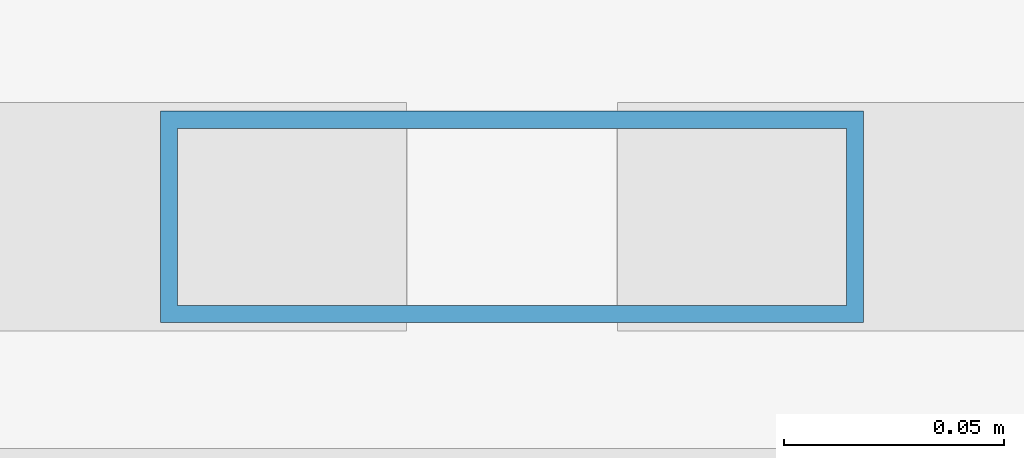
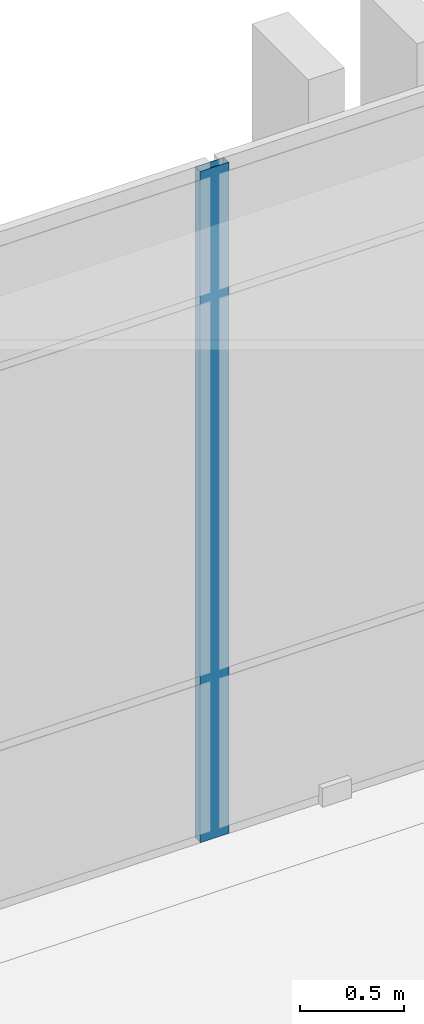
# One storey, part 106 of 165: 1 member, 1 element without a shape of its own.
"""IFC4 building model written with IfcOpenShell, lengths in metres."""

import ifcopenshell
import ifcopenshell.guid

model = None  # the IFC model being written
_history = None  # IfcOwnerHistory: only IFC2X3 demands one
_inside = {}  # id of a spatial element -> (the spatial element, [elements in it])
_under = {}  # id of a project, library or spatial element -> (it, [spatial elements below it])
_declared = {}  # id of a project -> (the project, [libraries it declares])
_typed = {}  # id of a type object -> (the type object, [elements of that type])
_made_of = {}  # id of a material, layer set ... -> (it, [elements and type objects made of it])


def new_model(schema):
    """Start an empty IFC model of exactly this schema.

    Asked for "IFC4X3", IfcOpenShell would pick the latest addendum, in which some entities
    have other attributes; the version numbers below select the first issue.
    IFC2X3 requires an IfcOwnerHistory on every rooted entity: one is made here for all.
    """
    global model, _history
    if schema == "IFC4X3":
        model = ifcopenshell.file(schema_version=(4, 3, 0, 0))
    else:
        model = ifcopenshell.file(schema=schema)
    _inside.clear()
    _under.clear()
    _declared.clear()
    _typed.clear()
    _made_of.clear()
    _history = None
    if model.schema == "IFC2X3":
        org = make("IfcOrganization", Name="unknown")
        user = make(
            "IfcPersonAndOrganization",
            ThePerson=make("IfcPerson", FamilyName="unknown"),
            TheOrganization=org,
        )
        app = make(
            "IfcApplication",
            ApplicationDeveloper=org,
            Version="unknown",
            ApplicationFullName="unknown",
            ApplicationIdentifier="unknown",
        )
        _history = make(
            "IfcOwnerHistory",
            OwningUser=user,
            OwningApplication=app,
            ChangeAction="ADDED",
            CreationDate=0,
        )
    return model


def make(cls, **values):
    """One entity of the class cls with the attributes given. An attribute that is None is left unset."""
    return model.create_entity(
        cls, **{name: value for name, value in values.items() if value is not None}
    )


def rooted(cls, **values):
    """An entity with a GlobalId (a new one), such as an element, a storey or a relation."""
    return make(cls, GlobalId=ifcopenshell.guid.new(), OwnerHistory=_history, **values)


def si_unit(unit_type, name, prefix=None):
    """IfcSIUnit, for example si_unit("LENGTHUNIT", "METRE", prefix="MILLI")."""
    return make("IfcSIUnit", UnitType=unit_type, Prefix=prefix, Name=name)


def assignment(units):
    """IfcUnitAssignment: the units of a project."""
    return None if units is None else make("IfcUnitAssignment", Units=units)


def point(xyz):
    """IfcCartesianPoint."""
    return None if xyz is None else make("IfcCartesianPoint", Coordinates=xyz)


def direction(xyz):
    """IfcDirection."""
    return None if xyz is None else make("IfcDirection", DirectionRatios=xyz)


def frame(location, z_axis=None, x_axis=None):
    """IfcAxis2Placement3D, a coordinate frame: its origin and axes. An axis left out is left unset."""
    return make(
        "IfcAxis2Placement3D",
        Location=point(location),
        Axis=direction(z_axis),
        RefDirection=direction(x_axis),
    )


def frame_2d(location, x_axis=None):
    """IfcAxis2Placement2D, a coordinate frame in the plane: its origin and x axis."""
    return make(
        "IfcAxis2Placement2D", Location=point(location), RefDirection=direction(x_axis)
    )


def origin():
    """The frame at (0, 0, 0) with its axes left unset."""
    return frame((0.0, 0.0, 0.0))


def origin_2d():
    """The frame at (0, 0) in the plane with its x axis left unset."""
    return frame_2d((0.0, 0.0))


def place(relative_to, where):
    """IfcLocalPlacement: puts the frame where relative to a parent placement (None: the world)."""
    return make(
        "IfcLocalPlacement", PlacementRelTo=relative_to, RelativePlacement=where
    )


def context(
    kind, dimensions, precision=None, world=None, true_north=None, identifier=None
):
    """IfcGeometricRepresentationContext, for example the 3D "Model" context."""
    return make(
        "IfcGeometricRepresentationContext",
        ContextIdentifier=identifier,
        ContextType=kind,
        CoordinateSpaceDimension=dimensions,
        Precision=precision,
        WorldCoordinateSystem=world,
        TrueNorth=true_north,
    )


def subcontext(parent, identifier, kind, view, scale=None):
    """IfcGeometricRepresentationSubContext, for example "Body" below "Model"."""
    return make(
        "IfcGeometricRepresentationSubContext",
        ContextIdentifier=identifier,
        ContextType=kind,
        ParentContext=parent,
        TargetScale=scale,
        TargetView=view,
    )


def project(units=None, contexts=None):
    """IfcProject with its units and contexts."""
    return rooted(
        "IfcProject",
        Name="project",
        RepresentationContexts=contexts,
        UnitsInContext=assignment(units),
    )


def spatial(cls, under=None, at=None, **own):
    """A site, building, storey or space (cls), placed at a placement, below another one or the project."""
    s = rooted(cls, ObjectPlacement=at, **own)
    if under is not None:
        _under.setdefault(under.id(), (under, []))[1].append(s)
    return s


def profile(cls, at=None, kind="AREA", **sizes):
    """A parametric profile (cls). Its sizes go by their IFC names, for example OverallWidth=200.0."""
    return make(cls, ProfileType=kind, Position=at, **sizes)


def hollow_rectangle(**sizes):
    """IfcRectangleHollowProfileDef."""
    return profile("IfcRectangleHollowProfileDef", **sizes)


def extrude(swept, where, along, depth):
    """IfcExtrudedAreaSolid: the profile swept, set in the frame where, extruded along a direction by depth."""
    return make(
        "IfcExtrudedAreaSolid",
        SweptArea=swept,
        Position=where,
        ExtrudedDirection=direction(along),
        Depth=depth,
    )


def shape(context_of_items, identifier, shape_type, items):
    """IfcShapeRepresentation: the items that make up one representation, for example the "Body"."""
    return make(
        "IfcShapeRepresentation",
        ContextOfItems=context_of_items,
        RepresentationIdentifier=identifier,
        RepresentationType=shape_type,
        Items=items,
    )


def material(Name=None, Category=None):
    """IfcMaterial."""
    return make("IfcMaterial", Name=Name, Category=Category)


def layer(
    of_material, thickness, ventilated=None, Name=None, Category=None, Priority=None
):
    """IfcMaterialLayer: one layer of a wall or slab, of a material (None: an air gap)."""
    return make(
        "IfcMaterialLayer",
        Material=of_material,
        LayerThickness=thickness,
        IsVentilated=ventilated,
        Name=Name,
        Category=Category,
        Priority=Priority,
    )


def layer_set(layers, Name=None):
    """IfcMaterialLayerSet."""
    return make("IfcMaterialLayerSet", MaterialLayers=layers, LayerSetName=Name)


def material_profile(
    of_material, cross_section, Name=None, Category=None, Priority=None
):
    """IfcMaterialProfile: a cross section and its material."""
    return make(
        "IfcMaterialProfile",
        Name=Name,
        Material=of_material,
        Profile=cross_section,
        Priority=Priority,
        Category=Category,
    )


def profile_set(profiles, Name=None, composite=None):
    """IfcMaterialProfileSet."""
    return make(
        "IfcMaterialProfileSet",
        Name=Name,
        MaterialProfiles=profiles,
        CompositeProfile=composite,
    )


def made_of(thing, what):
    """Note that an element or type object is made of a material, layer set ...; save() writes the relation."""
    if what is not None:
        _made_of.setdefault(what.id(), (what, []))[1].append(thing)
    return thing


def type_object(cls, material=None, **own):
    """A type object (cls), such as IfcWallType, which elements share."""
    return made_of(rooted(cls, **own), material)


def element(
    cls,
    number,
    at=None,
    inside=None,
    cuts=None,
    type_object=None,
    material=None,
    context=None,
    identifier="Body",
    shape_type=None,
    held_by="IfcProductDefinitionShape",
    body=None,
    shapes=None,
    **own,
):
    """One element of the class cls, such as IfcWall. Its Tag is "e" and its number.

    at: its placement. inside: the storey or other place that contains it. cuts: it is an
    opening in that element (IfcRelVoidsElement). A single representation is given by context,
    identifier, shape_type and body (its items); several are given by shapes. held_by: the class
    of the entity that holds the representations. save() writes the other relations.
    """
    e = rooted(cls, Tag="e%d" % number, ObjectPlacement=at, **own)
    if body is not None:
        shapes = [shape(context, identifier, shape_type, body)]
    if shapes is not None:
        e.Representation = make(held_by, Representations=shapes)
    if inside is not None:
        _inside.setdefault(inside.id(), (inside, []))[1].append(e)
    if cuts is not None:
        rooted(
            "IfcRelVoidsElement", RelatingBuildingElement=cuts, RelatedOpeningElement=e
        )
    if type_object is not None:
        _typed.setdefault(type_object.id(), (type_object, []))[1].append(e)
    return made_of(e, material)


def aggregate(whole, parts):
    """IfcRelAggregates: a whole, such as a stair, and the parts it consists of."""
    return rooted("IfcRelAggregates", RelatingObject=whole, RelatedObjects=parts)


def save(model, path):
    """Write the relations noted so far, then the file.

    IfcRelAggregates (storeys below a building ...), IfcRelContainedInSpatialStructure (elements
    in a storey), IfcRelDefinesByType, IfcRelAssociatesMaterial and IfcRelDeclares: one each for
    every whole, place, type object, material and project.
    """
    for whole, parts in _under.values():
        aggregate(whole, parts)
    for where, things in _inside.values():
        rooted(
            "IfcRelContainedInSpatialStructure",
            RelatedElements=things,
            RelatingStructure=where,
        )
    for kind, things in _typed.values():
        rooted("IfcRelDefinesByType", RelatedObjects=things, RelatingType=kind)
    for what, things in _made_of.values():
        rooted("IfcRelAssociatesMaterial", RelatedObjects=things, RelatingMaterial=what)
    for by, libraries in _declared.values():
        rooted("IfcRelDeclares", RelatingContext=by, RelatedDefinitions=libraries)
    model.write(path)


model = new_model("IFC4")

# Units and contexts
model_context = context("Model", 3, precision=1e-05, world=origin(), true_north=direction((0.0, 1.0)))
body_context = subcontext(model_context, "Body", "Model", "MODEL_VIEW")
ifc_project = project(units=[si_unit("LENGTHUNIT", "METRE"), si_unit("AREAUNIT", "SQUARE_METRE"), si_unit("VOLUMEUNIT", "CUBIC_METRE"), si_unit("PLANEANGLEUNIT", "RADIAN"), si_unit("MASSUNIT", "GRAM", prefix="KILO")], contexts=[model_context])

# Site, building, storey
site_placement = place(None, origin())
site = spatial("IfcSite", under=ifc_project, at=site_placement, CompositionType="ELEMENT")
building_placement = place(site_placement, origin())
building = spatial("IfcBuilding", under=site, at=building_placement, Name="Qalavern Law Courts", CompositionType="ELEMENT")
storey_placement = place(building_placement, frame((0.0, 0.0, 14.39990234375)))
storey = spatial("IfcBuildingStorey", under=building, at=storey_placement, Name="L03", CompositionType="ELEMENT", Elevation=14.39990234375)

# Curtain wall, member
ifc_material_1 = material(Name="Anodised aluminium and insulated glazing", Category="aluminium")
ifc_layer = layer(ifc_material_1, 0.172119140625)
ifc_layer_set = layer_set([ifc_layer], Name="Anodised aluminium and insulated glazing")
curtain_wall_type = type_object("IfcCurtainWallType", Name="ENV-CW-COURT", PredefinedType="USERDEFINED", material=ifc_layer_set)
curtain_wall_placement = place(storey_placement, origin())
curtain_wall = element("IfcCurtainWall", 1, at=curtain_wall_placement, inside=storey, type_object=curtain_wall_type, Name="V4 unitised curtain wall L03 north 1", ObjectType="UNITISED CURTAIN WALL", PredefinedType="USERDEFINED")
ifc_material_2 = material(Name="Anodised aluminium", Category="aluminium")
ifc_material_profile = material_profile(ifc_material_2, hollow_rectangle(XDim=0.048095703125, YDim=0.159912109375, WallThickness=0.00390625, at=origin_2d()), Name="ALU MULLION 48x160")
ifc_profile_set = profile_set([ifc_material_profile], Name="Anodised aluminium")
member_type = type_object("IfcMemberType", Name="ENV-CWM-48x160", PredefinedType="MULLION", material=ifc_profile_set)
member_placement = place(storey_placement, frame((98.344482421875, 85.652587890625, 0.0), z_axis=(0.0, 0.0, 1.0), x_axis=(0.0, -1.0, 0.0)))
member = element("IfcMember", 2, at=member_placement, type_object=member_type, Name="CW-03 mullion 6", PredefinedType="MULLION", context=body_context, shape_type="SweptSolid", body=[
    extrude(hollow_rectangle(XDim=0.048095703125, YDim=0.159912109375, WallThickness=0.00390625, at=origin_2d()), origin(), (0.0, 0.0, 1.0), 3.920166015625),
])
aggregate(curtain_wall, [member])

save(model, "model.ifc")
